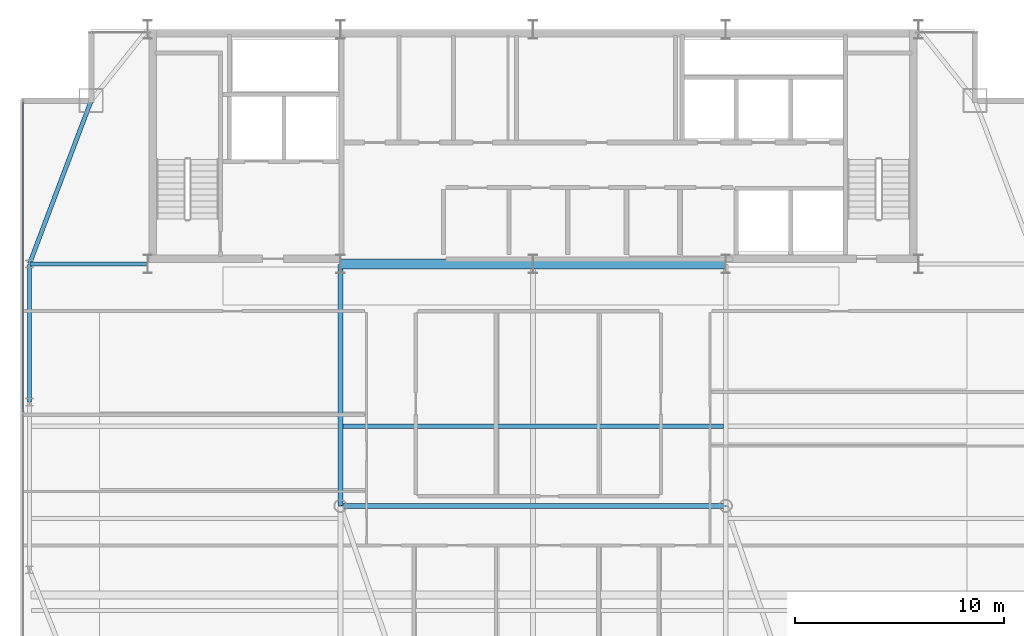
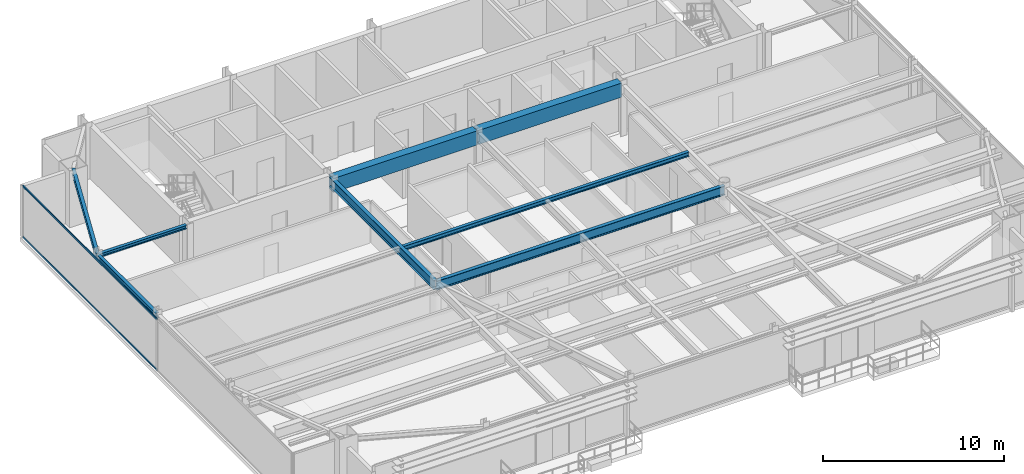
# One storey, part 11 of 28: 8 beams, 2 members, 1 element without a shape of its own.
"""IFC4 building model written with IfcOpenShell, lengths in metres."""

from ifc_helpers import new_model, si_unit, direction, frame, origin, origin_2d, place, context, subcontext, project, spatial, rectangle, hollow_rectangle, i_section, extrude, source, transform, mapped, material, layer, layer_set, material_profile, profile_set, type_object, type_shapes, element, aggregate, save


model = new_model("IFC4")

# Units and contexts
model_context = context("Model", 3, precision=1e-05, world=origin(), true_north=direction((0.0, 1.0)))
body_context = subcontext(model_context, "Body", "Model", "MODEL_VIEW")
ifc_project = project(units=[si_unit("LENGTHUNIT", "METRE"), si_unit("AREAUNIT", "SQUARE_METRE"), si_unit("VOLUMEUNIT", "CUBIC_METRE"), si_unit("PLANEANGLEUNIT", "RADIAN"), si_unit("MASSUNIT", "GRAM", prefix="KILO")], contexts=[model_context])

# Site, building, storey
site_placement = place(None, origin())
site = spatial("IfcSite", under=ifc_project, at=site_placement, CompositionType="ELEMENT")
building_placement = place(site_placement, origin())
building = spatial("IfcBuilding", under=site, at=building_placement, Name="Varnel Quay Broadcast Tower", CompositionType="ELEMENT")
storey_placement = place(building_placement, frame((0.0, 0.0, 230.199951171875)))
storey = spatial("IfcBuildingStorey", under=building, at=storey_placement, Name="L57", CompositionType="ELEMENT", Elevation=230.199951171875)

# Beams
ifc_material_1 = material(Name="Concrete CSA A23.3 C50/60", Category="concrete")
ifc_material_profile_1 = material_profile(ifc_material_1, rectangle(XDim=0.5, YDim=0.949951171875, at=origin_2d()), Name="RC500X950")
ifc_profile_set_1 = profile_set([ifc_material_profile_1], Name="Concrete CSA A23.3 C50/60")
beam_type_1 = type_object("IfcBeamType", Name="Beam_RC500X950", PredefinedType="BEAM", material=ifc_profile_set_1)
shared_shape_1 = source(origin(), body_context, "Body", "SweptSolid", [
    extrude(rectangle(XDim=0.5, YDim=0.949951171875, at=origin_2d()), origin(), (0.0, 0.0, 1.0), 9.159912109375),
])
type_shapes(beam_type_1, [shared_shape_1])
for number, where, z_axis, x_axis, name in (
    (1, (24.820068359375, 35.60009765625, 3.005126953125), (1.0, 0.0, 0.0), (0.0, 1.0, 0.0), "L57 Core Coupling Beam W"),
    (2, (34.02001953125, 35.60009765625, 3.005126953125), (1.0, 0.0, 0.0), (0.0, 1.0, 0.0), "L57 Core Coupling Beam E"),
):
    element("IfcBeam", number, at=place(storey_placement, frame(where, z_axis=z_axis, x_axis=x_axis)), inside=storey, type_object=beam_type_1, Name=name, PredefinedType="BEAM", context=body_context, shape_type="MappedRepresentation", body=[
        mapped(shared_shape_1, transform((0.0, 0.0, 0.0), x_axis=(1.0, 0.0, 0.0), y_axis=(0.0, 1.0, 0.0), z_axis=(0.0, 0.0, 1.0), scale=1.0)),
    ])
ifc_material_2 = material(Name="Structural Steel CSA G40.21 350W", Category="steel")
ifc_material_profile_2 = material_profile(ifc_material_2, i_section(OverallWidth=0.205078125, OverallDepth=0.35400390625, WebThickness=0.009521484375, FlangeThickness=0.016845703125, FilletRadius=0.012939453125, at=origin_2d()), Name="W360X79")
ifc_profile_set_2 = profile_set([ifc_material_profile_2], Name="Structural Steel CSA G40.21 350W")
beam_type_2 = type_object("IfcBeamType", Name="Beam_W360X79", PredefinedType="SPANDREL", material=ifc_profile_set_2)
shared_shape_2 = source(origin(), body_context, "Body", "SweptSolid", [
    extrude(i_section(OverallWidth=0.205078125, OverallDepth=0.35400390625, WebThickness=0.009521484375, FlangeThickness=0.016845703125, FilletRadius=0.012939453125, at=origin_2d()), origin(), (0.0, 0.0, 1.0), 6.56005859375),
])
beam_1_placement = place(storey_placement, frame((9.949951171875, 29.02001953125, 3.302978515625), z_axis=(0.0, 1.0, 0.0), x_axis=(-1.0, 0.0, 0.0)))
element("IfcBeam", 3, at=beam_1_placement, inside=storey, type_object=beam_type_2, Name="L57 West Spandrel TC-W2-TC-W3", PredefinedType="SPANDREL", context=body_context, shape_type="MappedRepresentation", body=[
    mapped(shared_shape_2, transform((0.0, 0.0, 0.0), x_axis=(1.0, 0.0, 0.0), y_axis=(0.0, 1.0, 0.0), z_axis=(0.0, 0.0, 1.0), scale=1.0)),
])
shared_shape_3 = source(origin(), body_context, "Body", "SweptSolid", [
    extrude(i_section(OverallWidth=0.205078125, OverallDepth=0.35400390625, WebThickness=0.009521484375, FlangeThickness=0.016845703125, FilletRadius=0.012939453125, at=origin_2d()), origin(), (0.0, 0.0, 1.0), 8.29931640625),
])
type_shapes(beam_type_2, [shared_shape_2, shared_shape_3])
beam_2_placement = place(storey_placement, frame((9.95703125, 35.61865234375, 3.302978515625), z_axis=(0.353739782058, 0.935343876117, 0.0), x_axis=(-0.935343876117, 0.353739782058, 0.0)))
element("IfcBeam", 4, at=beam_2_placement, inside=storey, type_object=beam_type_2, Name="L57 West Spandrel TC-W3-MC-NW", PredefinedType="SPANDREL", context=body_context, shape_type="MappedRepresentation", body=[
    mapped(shared_shape_3, transform((0.0, 0.0, 0.0), x_axis=(1.0, 0.0, 0.0), y_axis=(0.0, 1.0, 0.0), z_axis=(0.0, 0.0, 1.0), scale=1.0)),
])
ifc_material_profile_3 = material_profile(ifc_material_2, i_section(OverallWidth=0.22998046875, OverallDepth=0.616943359375, WebThickness=0.01318359375, FlangeThickness=0.022216796875, FilletRadius=0.01611328125, at=origin_2d()), Name="W610X140")
ifc_profile_set_3 = profile_set([ifc_material_profile_3], Name="Structural Steel CSA G40.21 350W")
beam_type_3 = type_object("IfcBeamType", Name="Girder_W610X140", PredefinedType="BEAM", material=ifc_profile_set_3)
shared_shape_4 = source(origin(), body_context, "Body", "SweptSolid", [
    extrude(i_section(OverallWidth=0.22998046875, OverallDepth=0.616943359375, WebThickness=0.01318359375, FlangeThickness=0.022216796875, FilletRadius=0.01611328125, at=origin_2d()), origin(), (0.0, 0.0, 1.0), 11.510009765625),
])
beam_3_placement = place(storey_placement, frame((24.800048828125, 24.070068359375, 3.171630859375), z_axis=(0.0, 1.0, 0.0), x_axis=(-1.0, 0.0, 0.0)))
element("IfcBeam", 5, at=beam_3_placement, inside=storey, type_object=beam_type_3, Name="L57 Primary Girder IC-01-CC-S2", PredefinedType="BEAM", context=body_context, shape_type="MappedRepresentation", body=[
    mapped(shared_shape_4, transform((0.0, 0.0, 0.0), x_axis=(1.0, 0.0, 0.0), y_axis=(0.0, 1.0, 0.0), z_axis=(0.0, 0.0, 1.0), scale=1.0)),
])
shared_shape_5 = source(origin(), body_context, "Body", "SweptSolid", [
    extrude(i_section(OverallWidth=0.22998046875, OverallDepth=0.616943359375, WebThickness=0.01318359375, FlangeThickness=0.022216796875, FilletRadius=0.01611328125, at=origin_2d()), origin(), (0.0, 0.0, 1.0), 18.35986328125),
])
type_shapes(beam_type_3, [shared_shape_4, shared_shape_5])
beam_4_placement = place(storey_placement, frame((24.820068359375, 24.050048828125, 3.171630859375), z_axis=(1.0, 0.0, 0.0), x_axis=(0.0, 1.0, 0.0)))
element("IfcBeam", 6, at=beam_4_placement, inside=storey, type_object=beam_type_3, Name="L57 Interior Spine Girder", PredefinedType="BEAM", context=body_context, shape_type="MappedRepresentation", body=[
    mapped(shared_shape_5, transform((0.0, 0.0, 0.0), x_axis=(1.0, 0.0, 0.0), y_axis=(0.0, 1.0, 0.0), z_axis=(0.0, 0.0, 1.0), scale=1.0)),
])
ifc_material_profile_4 = material_profile(ifc_material_2, i_section(OverallWidth=0.201904296875, OverallDepth=0.2470703125, WebThickness=0.00732421875, FlangeThickness=0.010986328125, FilletRadius=0.010986328125, at=origin_2d()), Name="W250X49")
ifc_profile_set_4 = profile_set([ifc_material_profile_4], Name="Structural Steel CSA G40.21 350W")
beam_type_4 = type_object("IfcBeamType", Name="Beam_W250X49", PredefinedType="JOIST", material=ifc_profile_set_4)
shared_shape_6 = source(origin(), body_context, "Body", "SweptSolid", [
    extrude(i_section(OverallWidth=0.201904296875, OverallDepth=0.2470703125, WebThickness=0.00732421875, FlangeThickness=0.010986328125, FilletRadius=0.010986328125, at=origin_2d()), origin(), (0.0, 0.0, 1.0), 5.610107421875),
])
type_shapes(beam_type_4, [shared_shape_6])
beam_5_placement = place(storey_placement, frame((9.969970703125, 35.60009765625, 3.3564453125), z_axis=(1.0, 0.0, 0.0), x_axis=(0.0, 1.0, 0.0)))
element("IfcBeam", 7, at=beam_5_placement, inside=storey, type_object=beam_type_4, Name="L57 West Core Tie Joist", PredefinedType="JOIST", context=body_context, shape_type="MappedRepresentation", body=[
    mapped(shared_shape_6, transform((0.0, 0.0, 0.0), x_axis=(1.0, 0.0, 0.0), y_axis=(0.0, 1.0, 0.0), z_axis=(0.0, 0.0, 1.0), scale=1.0)),
])
ifc_material_profile_5 = material_profile(ifc_material_2, i_section(OverallWidth=0.202880859375, OverallDepth=0.302978515625, WebThickness=0.007568359375, FlangeThickness=0.01318359375, FilletRadius=0.011962890625, at=origin_2d()), Name="W310X60")
ifc_profile_set_5 = profile_set([ifc_material_profile_5], Name="Structural Steel CSA G40.21 350W")
beam_type_5 = type_object("IfcBeamType", Name="Beam_W310X60", PredefinedType="JOIST", material=ifc_profile_set_5)
shared_shape_7 = source(origin(), body_context, "Body", "SweptSolid", [
    extrude(i_section(OverallWidth=0.202880859375, OverallDepth=0.302978515625, WebThickness=0.007568359375, FlangeThickness=0.01318359375, FilletRadius=0.011962890625, at=origin_2d()), origin(), (0.0, 0.0, 1.0), 18.18017578125),
])
type_shapes(beam_type_5, [shared_shape_7])
beam_6_placement = place(storey_placement, frame((24.909912109375, 27.85009765625, 3.32861328125), z_axis=(1.0, 0.0, 0.0), x_axis=(0.0, 1.0, 0.0)))
element("IfcBeam", 8, at=beam_6_placement, inside=storey, type_object=beam_type_5, Name="L57 Central Floor Joist 4", PredefinedType="JOIST", context=body_context, shape_type="MappedRepresentation", body=[
    mapped(shared_shape_7, transform((0.0, 0.0, 0.0), x_axis=(1.0, 0.0, 0.0), y_axis=(0.0, 1.0, 0.0), z_axis=(0.0, 0.0, 1.0), scale=1.0)),
])

# Curtain wall, members
ifc_material_3 = material(Name="Anodised Bronze Aluminium 6063-T6", Category="aluminium")
ifc_layer = layer(ifc_material_3, 0.18994140625, Name="Anodised Bronze Aluminium 6063-T6")
ifc_layer_set = layer_set([ifc_layer], Name="Anodised Bronze Aluminium 6063-T6")
curtain_wall_type = type_object("IfcCurtainWallType", Name="CW_UpperTower", PredefinedType="NOTDEFINED", material=ifc_layer_set)
curtain_wall_placement = place(storey_placement, origin())
curtain_wall = element("IfcCurtainWall", 9, at=curtain_wall_placement, inside=storey, type_object=curtain_wall_type, Name="L57 West Unitised Curtain Wall", PredefinedType="NOTDEFINED")
ifc_material_profile_6 = material_profile(ifc_material_3, hollow_rectangle(XDim=0.06005859375, YDim=0.125, WallThickness=0.0029296875, at=origin_2d()), Name="ALU60X125X3")
ifc_profile_set_6 = profile_set([ifc_material_profile_6], Name="Anodised Bronze Aluminium 6063-T6")
member_type = type_object("IfcMemberType", Name="Tran_CWS-03", PredefinedType="USERDEFINED", material=ifc_profile_set_6)
shared_shape_8 = source(origin(), body_context, "Body", "SweptSolid", [
    extrude(hollow_rectangle(XDim=0.06005859375, YDim=0.125, WallThickness=0.0029296875, at=origin_2d()), origin(), (0.0, 0.0, 1.0), 14.802490234375),
])
type_shapes(member_type, [shared_shape_8])
member_1_placement = place(storey_placement, frame((9.64990234375, 28.532470703125, 0.030029296875), z_axis=(0.0, 1.0, 0.0), x_axis=(-1.0, 0.0, 0.0)))
member_1 = element("IfcMember", 10, at=member_1_placement, type_object=member_type, Name="CWS-03 transom 2.1", ObjectType="TRANSOM", PredefinedType="USERDEFINED", context=body_context, shape_type="MappedRepresentation", body=[
    mapped(shared_shape_8, transform((0.0, 0.0, 0.0), x_axis=(1.0, 0.0, 0.0), y_axis=(0.0, 1.0, 0.0), z_axis=(0.0, 0.0, 1.0), scale=1.0)),
])
member_2_placement = place(storey_placement, frame((9.64990234375, 28.532470703125, 3.449951171875), z_axis=(0.0, 1.0, 0.0), x_axis=(-1.0, 0.0, 0.0)))
member_2 = element("IfcMember", 11, at=member_2_placement, type_object=member_type, Name="CWS-03 transom 2.2", ObjectType="TRANSOM", PredefinedType="USERDEFINED", context=body_context, shape_type="MappedRepresentation", body=[
    mapped(shared_shape_8, transform((0.0, 0.0, 0.0), x_axis=(1.0, 0.0, 0.0), y_axis=(0.0, 1.0, 0.0), z_axis=(0.0, 0.0, 1.0), scale=1.0)),
])
aggregate(curtain_wall, [member_1, member_2])

save(model, "model.ifc")
